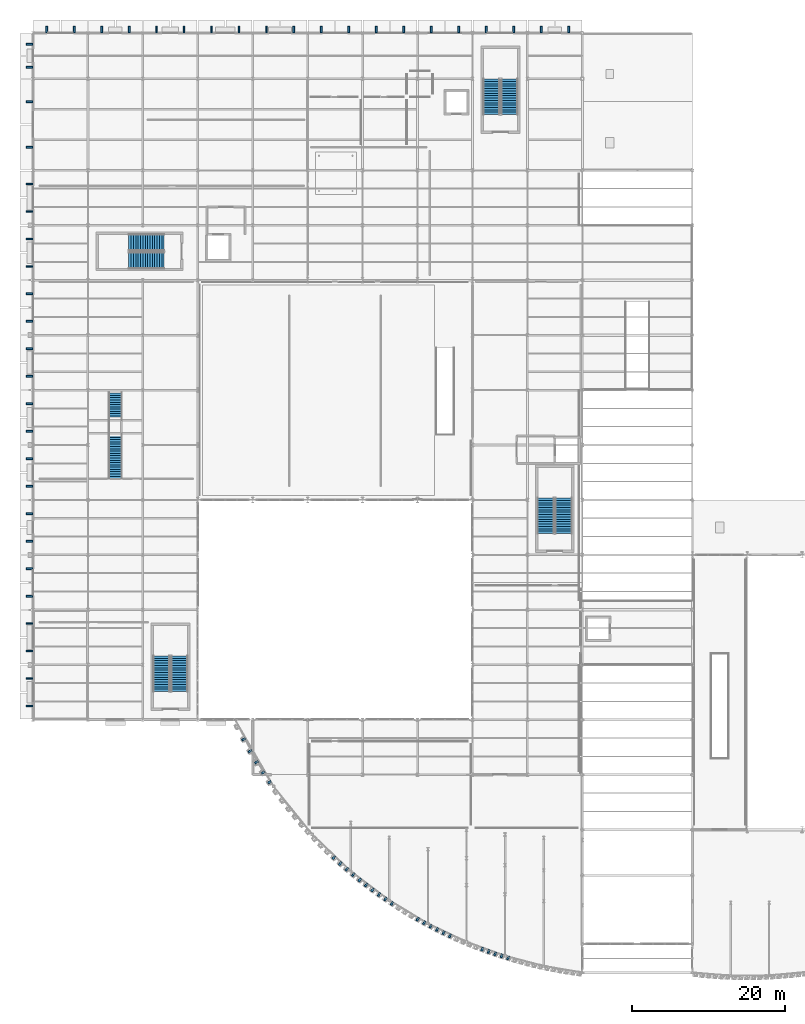
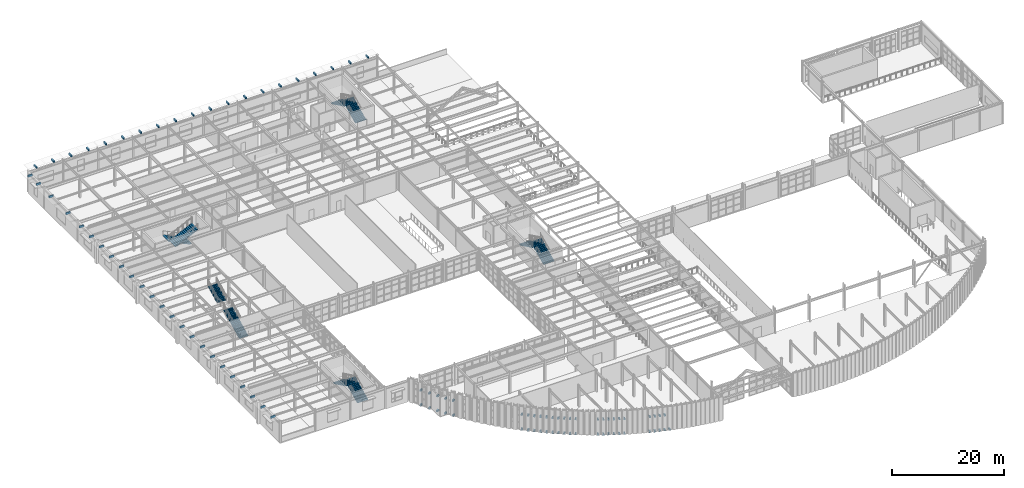
# One storey, part 110 of 126: 95 discrete accessories, 10 stair flights, 5 elements without a shape of their own.
"""IFC4 building model written with IfcOpenShell, lengths in metres."""

from ifc_helpers import new_model, si_unit, direction, frame, origin, origin_2d, place, context, subcontext, project, spatial, polyline, rectangle, outline, extrude, material, type_object, element, aggregate, save


model = new_model("IFC4")

# Units and contexts
model_context = context("Model", 3, precision=1e-05, world=origin(), true_north=direction((0.0, 1.0)))
body_context = subcontext(model_context, "Body", "Model", "MODEL_VIEW")
ifc_project = project(units=[si_unit("LENGTHUNIT", "METRE"), si_unit("AREAUNIT", "SQUARE_METRE"), si_unit("VOLUMEUNIT", "CUBIC_METRE"), si_unit("PLANEANGLEUNIT", "RADIAN"), si_unit("MASSUNIT", "GRAM", prefix="KILO")], contexts=[model_context])

# Site, building, storey
site_placement = place(None, origin())
site = spatial("IfcSite", under=ifc_project, at=site_placement, CompositionType="ELEMENT")
building_placement = place(site_placement, origin())
building = spatial("IfcBuilding", under=site, at=building_placement, Name="Solvadek Multi-Sports Hall", CompositionType="ELEMENT")
storey_placement = place(building_placement, frame((0.0, 0.0, 9.60009765625)))
storey = spatial("IfcBuildingStorey", under=building, at=storey_placement, Name="L02", CompositionType="ELEMENT", Elevation=9.60009765625)

# Stair, stair flights
ifc_material_1 = material(Name="Concrete M35", Category="concrete")
stair_type_1 = type_object("IfcStairType", Name="INT-STR-DOG220", PredefinedType="USERDEFINED", material=ifc_material_1)
stair_1_placement = place(storey_placement, origin())
stair_1 = element("IfcStair", 1, at=stair_1_placement, inside=storey, type_object=stair_type_1, Name="L02 Exit Stair Core ST-01 (SW Crescent)", ObjectType="TWO_RUN_STAIR", PredefinedType="USERDEFINED")
stair_flight_type_1 = type_object("IfcStairFlightType", Name="INT-FLT-RC220", PredefinedType="STRAIGHT", material=ifc_material_1)
stair_flight_1_placement = place(storey_placement, frame((19.199951171875, 24.10009765625, 0.0), z_axis=(0.0, 0.0, 1.0), x_axis=(0.0, 1.0, 0.0)))
stair_flight_1 = element("IfcStairFlight", 2, at=stair_flight_1_placement, type_object=stair_flight_type_1, Name="ST-01 flight 1", NumberOfRisers=16, NumberOfTreads=15, PredefinedType="STRAIGHT", RiserHeight=0.15, TreadLength=0.31, context=body_context, shape_type="SweptSolid", body=[
    extrude(outline(polyline([(0.0, 0.0), (0.0, 0.14990234375), (0.31005859375, 0.14990234375), (0.31005859375, 0.300048828125), (0.6201171875, 0.300048828125), (0.6201171875, 0.449951171875), (0.929931640625, 0.449951171875), (0.929931640625, 0.60009765625), (1.239990234375, 0.60009765625), (1.239990234375, 0.75), (1.550048828125, 0.75), (1.550048828125, 0.89990234375), (1.860107421875, 0.89990234375), (1.860107421875, 1.050048828125), (2.169921875, 1.050048828125), (2.169921875, 1.199951171875), (2.47998046875, 1.199951171875), (2.47998046875, 1.35009765625), (2.7900390625, 1.35009765625), (2.7900390625, 1.5), (3.10009765625, 1.5), (3.10009765625, 1.64990234375), (3.409912109375, 1.64990234375), (3.409912109375, 1.800048828125), (3.719970703125, 1.800048828125), (3.719970703125, 1.949951171875), (4.030029296875, 1.949951171875), (4.030029296875, 2.10009765625), (4.340087890625, 2.10009765625), (4.340087890625, 2.25), (4.64990234375, 2.25), (4.64990234375, 2.39990234375), (4.64990234375, 2.08349609375), (0.34423828125, 0.0), (0.0, 0.0)])), frame((0.0, 1.10009765625, 0.0), z_axis=(0.0, -1.0, 0.0), x_axis=(1.0, 0.0, 0.0)), (0.0, 0.0, 1.0), 2.199951171875),
])
stair_flight_2_placement = place(storey_placement, frame((16.85009765625, 28.75, 2.39990234375), z_axis=(0.0, 0.0, 1.0), x_axis=(0.0, -1.0, 0.0)))
stair_flight_2 = element("IfcStairFlight", 3, at=stair_flight_2_placement, type_object=stair_flight_type_1, Name="ST-01 flight 2", NumberOfRisers=16, NumberOfTreads=15, PredefinedType="STRAIGHT", RiserHeight=0.15, TreadLength=0.31, context=body_context, shape_type="SweptSolid", body=[
    extrude(outline(polyline([(0.0, 0.0), (0.0, 0.14990234375), (0.31005859375, 0.14990234375), (0.31005859375, 0.300048828125), (0.6201171875, 0.300048828125), (0.6201171875, 0.449951171875), (0.929931640625, 0.449951171875), (0.929931640625, 0.60009765625), (1.239990234375, 0.60009765625), (1.239990234375, 0.75), (1.550048828125, 0.75), (1.550048828125, 0.89990234375), (1.860107421875, 0.89990234375), (1.860107421875, 1.050048828125), (2.169921875, 1.050048828125), (2.169921875, 1.199951171875), (2.47998046875, 1.199951171875), (2.47998046875, 1.35009765625), (2.7900390625, 1.35009765625), (2.7900390625, 1.5), (3.10009765625, 1.5), (3.10009765625, 1.64990234375), (3.409912109375, 1.64990234375), (3.409912109375, 1.800048828125), (3.719970703125, 1.800048828125), (3.719970703125, 1.949951171875), (4.030029296875, 1.949951171875), (4.030029296875, 2.10009765625), (4.340087890625, 2.10009765625), (4.340087890625, 2.25), (4.64990234375, 2.25), (4.64990234375, 2.39990234375), (4.64990234375, 2.08349609375), (0.34423828125, 0.0), (0.0, 0.0)])), frame((0.0, 1.10009765625, 0.0), z_axis=(0.0, -1.0, 0.0), x_axis=(1.0, 0.0, 0.0)), (0.0, 0.0, 1.0), 2.199951171875),
])
aggregate(stair_1, [stair_flight_1, stair_flight_2])

stair_2_placement = place(storey_placement, origin())
stair_2 = element("IfcStair", 4, at=stair_2_placement, inside=storey, type_object=stair_type_1, Name="L02 Exit Stair Core ST-02 (NW Track Headhouse)", ObjectType="TWO_RUN_STAIR", PredefinedType="USERDEFINED")
stair_flight_3_placement = place(storey_placement, frame((17.199951171875, 82.949951171875, 0.0), z_axis=(0.0, 0.0, 1.0), x_axis=(-1.0, 0.0, 0.0)))
stair_flight_3 = element("IfcStairFlight", 5, at=stair_flight_3_placement, type_object=stair_flight_type_1, Name="ST-02 flight 1", NumberOfRisers=16, NumberOfTreads=15, PredefinedType="STRAIGHT", RiserHeight=0.15, TreadLength=0.31, context=body_context, shape_type="SweptSolid", body=[
    extrude(outline(polyline([(0.0, 0.0), (0.0, 0.14990234375), (0.31005859375, 0.14990234375), (0.31005859375, 0.300048828125), (0.6201171875, 0.300048828125), (0.6201171875, 0.449951171875), (0.929931640625, 0.449951171875), (0.929931640625, 0.60009765625), (1.239990234375, 0.60009765625), (1.239990234375, 0.75), (1.550048828125, 0.75), (1.550048828125, 0.89990234375), (1.860107421875, 0.89990234375), (1.860107421875, 1.050048828125), (2.169921875, 1.050048828125), (2.169921875, 1.199951171875), (2.47998046875, 1.199951171875), (2.47998046875, 1.35009765625), (2.7900390625, 1.35009765625), (2.7900390625, 1.5), (3.10009765625, 1.5), (3.10009765625, 1.64990234375), (3.409912109375, 1.64990234375), (3.409912109375, 1.800048828125), (3.719970703125, 1.800048828125), (3.719970703125, 1.949951171875), (4.030029296875, 1.949951171875), (4.030029296875, 2.10009765625), (4.340087890625, 2.10009765625), (4.340087890625, 2.25), (4.64990234375, 2.25), (4.64990234375, 2.39990234375), (4.64990234375, 2.08349609375), (0.34423828125, 0.0), (0.0, 0.0)])), frame((0.0, 1.10009765625, 0.0), z_axis=(0.0, -1.0, 0.0), x_axis=(1.0, 0.0, 0.0)), (0.0, 0.0, 1.0), 2.199951171875),
])
stair_flight_4_placement = place(storey_placement, frame((12.550048828125, 80.60009765625, 2.39990234375), z_axis=(0.0, 0.0, 1.0), x_axis=(1.0, 0.0, 0.0)))
stair_flight_4 = element("IfcStairFlight", 6, at=stair_flight_4_placement, type_object=stair_flight_type_1, Name="ST-02 flight 2", NumberOfRisers=16, NumberOfTreads=15, PredefinedType="STRAIGHT", RiserHeight=0.15, TreadLength=0.31, context=body_context, shape_type="SweptSolid", body=[
    extrude(outline(polyline([(0.0, 0.0), (0.0, 0.14990234375), (0.31005859375, 0.14990234375), (0.31005859375, 0.300048828125), (0.6201171875, 0.300048828125), (0.6201171875, 0.449951171875), (0.929931640625, 0.449951171875), (0.929931640625, 0.60009765625), (1.239990234375, 0.60009765625), (1.239990234375, 0.75), (1.550048828125, 0.75), (1.550048828125, 0.89990234375), (1.860107421875, 0.89990234375), (1.860107421875, 1.050048828125), (2.169921875, 1.050048828125), (2.169921875, 1.199951171875), (2.47998046875, 1.199951171875), (2.47998046875, 1.35009765625), (2.7900390625, 1.35009765625), (2.7900390625, 1.5), (3.10009765625, 1.5), (3.10009765625, 1.64990234375), (3.409912109375, 1.64990234375), (3.409912109375, 1.800048828125), (3.719970703125, 1.800048828125), (3.719970703125, 1.949951171875), (4.030029296875, 1.949951171875), (4.030029296875, 2.10009765625), (4.340087890625, 2.10009765625), (4.340087890625, 2.25), (4.64990234375, 2.25), (4.64990234375, 2.39990234375), (4.64990234375, 2.08349609375), (0.34423828125, 0.0), (0.0, 0.0)])), frame((0.0, 1.10009765625, 0.0), z_axis=(0.0, -1.0, 0.0), x_axis=(1.0, 0.0, 0.0)), (0.0, 0.0, 1.0), 2.199951171875),
])
aggregate(stair_2, [stair_flight_3, stair_flight_4])

stair_3_placement = place(storey_placement, origin())
stair_3 = element("IfcStair", 7, at=stair_3_placement, inside=storey, type_object=stair_type_1, Name="L02 Exit Stair Core ST-03 (North Avenue Podium)", ObjectType="TWO_RUN_STAIR", PredefinedType="USERDEFINED")
stair_flight_5_placement = place(storey_placement, frame((62.449951171875, 99.699951171875, 0.0), z_axis=(0.0, 0.0, 1.0), x_axis=(0.0, 1.0, 0.0)))
stair_flight_5 = element("IfcStairFlight", 8, at=stair_flight_5_placement, type_object=stair_flight_type_1, Name="ST-03 flight 1", NumberOfRisers=16, NumberOfTreads=15, PredefinedType="STRAIGHT", RiserHeight=0.15, TreadLength=0.31, context=body_context, shape_type="SweptSolid", body=[
    extrude(outline(polyline([(0.0, 0.0), (0.0, 0.14990234375), (0.31005859375, 0.14990234375), (0.31005859375, 0.300048828125), (0.6201171875, 0.300048828125), (0.6201171875, 0.449951171875), (0.929931640625, 0.449951171875), (0.929931640625, 0.60009765625), (1.239990234375, 0.60009765625), (1.239990234375, 0.75), (1.550048828125, 0.75), (1.550048828125, 0.89990234375), (1.860107421875, 0.89990234375), (1.860107421875, 1.050048828125), (2.169921875, 1.050048828125), (2.169921875, 1.199951171875), (2.47998046875, 1.199951171875), (2.47998046875, 1.35009765625), (2.7900390625, 1.35009765625), (2.7900390625, 1.5), (3.10009765625, 1.5), (3.10009765625, 1.64990234375), (3.409912109375, 1.64990234375), (3.409912109375, 1.800048828125), (3.719970703125, 1.800048828125), (3.719970703125, 1.949951171875), (4.030029296875, 1.949951171875), (4.030029296875, 2.10009765625), (4.340087890625, 2.10009765625), (4.340087890625, 2.25), (4.64990234375, 2.25), (4.64990234375, 2.39990234375), (4.64990234375, 2.08349609375), (0.34423828125, 0.0), (0.0, 0.0)])), frame((0.0, 1.10009765625, 0.0), z_axis=(0.0, -1.0, 0.0), x_axis=(1.0, 0.0, 0.0)), (0.0, 0.0, 1.0), 2.199951171875),
])
stair_flight_6_placement = place(storey_placement, frame((60.10009765625, 104.35009765625, 2.39990234375), z_axis=(0.0, 0.0, 1.0), x_axis=(0.0, -1.0, 0.0)))
stair_flight_6 = element("IfcStairFlight", 9, at=stair_flight_6_placement, type_object=stair_flight_type_1, Name="ST-03 flight 2", NumberOfRisers=16, NumberOfTreads=15, PredefinedType="STRAIGHT", RiserHeight=0.15, TreadLength=0.31, context=body_context, shape_type="SweptSolid", body=[
    extrude(outline(polyline([(0.0, 0.0), (0.0, 0.14990234375), (0.31005859375, 0.14990234375), (0.31005859375, 0.300048828125), (0.6201171875, 0.300048828125), (0.6201171875, 0.449951171875), (0.929931640625, 0.449951171875), (0.929931640625, 0.60009765625), (1.239990234375, 0.60009765625), (1.239990234375, 0.75), (1.550048828125, 0.75), (1.550048828125, 0.89990234375), (1.860107421875, 0.89990234375), (1.860107421875, 1.050048828125), (2.169921875, 1.050048828125), (2.169921875, 1.199951171875), (2.47998046875, 1.199951171875), (2.47998046875, 1.35009765625), (2.7900390625, 1.35009765625), (2.7900390625, 1.5), (3.10009765625, 1.5), (3.10009765625, 1.64990234375), (3.409912109375, 1.64990234375), (3.409912109375, 1.800048828125), (3.719970703125, 1.800048828125), (3.719970703125, 1.949951171875), (4.030029296875, 1.949951171875), (4.030029296875, 2.10009765625), (4.340087890625, 2.10009765625), (4.340087890625, 2.25), (4.64990234375, 2.25), (4.64990234375, 2.39990234375), (4.64990234375, 2.08349609375), (0.34423828125, 0.0), (0.0, 0.0)])), frame((0.0, 1.10009765625, 0.0), z_axis=(0.0, -1.0, 0.0), x_axis=(1.0, 0.0, 0.0)), (0.0, 0.0, 1.0), 2.199951171875),
])
aggregate(stair_3, [stair_flight_5, stair_flight_6])

stair_4_placement = place(storey_placement, origin())
stair_4 = element("IfcStair", 10, at=stair_4_placement, inside=storey, type_object=stair_type_1, Name="L02 Exit Stair Core ST-04 (Central Passage West)", ObjectType="TWO_RUN_STAIR", PredefinedType="USERDEFINED")
stair_flight_7_placement = place(storey_placement, frame((69.550048828125, 44.800048828125, 0.0), z_axis=(0.0, 0.0, 1.0), x_axis=(0.0, 1.0, 0.0)))
stair_flight_7 = element("IfcStairFlight", 11, at=stair_flight_7_placement, type_object=stair_flight_type_1, Name="ST-04 flight 1", NumberOfRisers=16, NumberOfTreads=15, PredefinedType="STRAIGHT", RiserHeight=0.15, TreadLength=0.31, context=body_context, shape_type="SweptSolid", body=[
    extrude(outline(polyline([(0.0, 0.0), (0.0, 0.14990234375), (0.31005859375, 0.14990234375), (0.31005859375, 0.300048828125), (0.6201171875, 0.300048828125), (0.6201171875, 0.449951171875), (0.929931640625, 0.449951171875), (0.929931640625, 0.60009765625), (1.239990234375, 0.60009765625), (1.239990234375, 0.75), (1.550048828125, 0.75), (1.550048828125, 0.89990234375), (1.860107421875, 0.89990234375), (1.860107421875, 1.050048828125), (2.169921875, 1.050048828125), (2.169921875, 1.199951171875), (2.47998046875, 1.199951171875), (2.47998046875, 1.35009765625), (2.7900390625, 1.35009765625), (2.7900390625, 1.5), (3.10009765625, 1.5), (3.10009765625, 1.64990234375), (3.409912109375, 1.64990234375), (3.409912109375, 1.800048828125), (3.719970703125, 1.800048828125), (3.719970703125, 1.949951171875), (4.030029296875, 1.949951171875), (4.030029296875, 2.10009765625), (4.340087890625, 2.10009765625), (4.340087890625, 2.25), (4.64990234375, 2.25), (4.64990234375, 2.39990234375), (4.64990234375, 2.08349609375), (0.34423828125, 0.0), (0.0, 0.0)])), frame((0.0, 1.10009765625, 0.0), z_axis=(0.0, -1.0, 0.0), x_axis=(1.0, 0.0, 0.0)), (0.0, 0.0, 1.0), 2.199951171875),
])
stair_flight_8_placement = place(storey_placement, frame((67.199951171875, 49.449951171875, 2.39990234375), z_axis=(0.0, 0.0, 1.0), x_axis=(0.0, -1.0, 0.0)))
stair_flight_8 = element("IfcStairFlight", 12, at=stair_flight_8_placement, type_object=stair_flight_type_1, Name="ST-04 flight 2", NumberOfRisers=16, NumberOfTreads=15, PredefinedType="STRAIGHT", RiserHeight=0.15, TreadLength=0.31, context=body_context, shape_type="SweptSolid", body=[
    extrude(outline(polyline([(0.0, 0.0), (0.0, 0.14990234375), (0.31005859375, 0.14990234375), (0.31005859375, 0.300048828125), (0.6201171875, 0.300048828125), (0.6201171875, 0.449951171875), (0.929931640625, 0.449951171875), (0.929931640625, 0.60009765625), (1.239990234375, 0.60009765625), (1.239990234375, 0.75), (1.550048828125, 0.75), (1.550048828125, 0.89990234375), (1.860107421875, 0.89990234375), (1.860107421875, 1.050048828125), (2.169921875, 1.050048828125), (2.169921875, 1.199951171875), (2.47998046875, 1.199951171875), (2.47998046875, 1.35009765625), (2.7900390625, 1.35009765625), (2.7900390625, 1.5), (3.10009765625, 1.5), (3.10009765625, 1.64990234375), (3.409912109375, 1.64990234375), (3.409912109375, 1.800048828125), (3.719970703125, 1.800048828125), (3.719970703125, 1.949951171875), (4.030029296875, 1.949951171875), (4.030029296875, 2.10009765625), (4.340087890625, 2.10009765625), (4.340087890625, 2.25), (4.64990234375, 2.25), (4.64990234375, 2.39990234375), (4.64990234375, 2.08349609375), (0.34423828125, 0.0), (0.0, 0.0)])), frame((0.0, 1.10009765625, 0.0), z_axis=(0.0, -1.0, 0.0), x_axis=(1.0, 0.0, 0.0)), (0.0, 0.0, 1.0), 2.199951171875),
])
aggregate(stair_4, [stair_flight_7, stair_flight_8])

stair_type_2 = type_object("IfcStairType", Name="INT-STR-VOM180", PredefinedType="STRAIGHT_RUN_STAIR", material=ifc_material_1)
stair_5_placement = place(storey_placement, origin())
stair_5 = element("IfcStair", 13, at=stair_5_placement, inside=storey, type_object=stair_type_2, Name="L02 Monumental and Access Stair ST-14", PredefinedType="STRAIGHT_RUN_STAIR")
stair_flight_type_2 = type_object("IfcStairFlightType", Name="INT-FLT-VOM180", PredefinedType="STRAIGHT", material=ifc_material_1)
stair_flight_9_placement = place(storey_placement, frame((10.800048828125, 52.0, 0.0), z_axis=(0.0, 0.0, 1.0), x_axis=(0.0, 1.0, 0.0)))
stair_flight_9 = element("IfcStairFlight", 14, at=stair_flight_9_placement, type_object=stair_flight_type_2, Name="ST-14 flight 1", NumberOfRisers=20, NumberOfTreads=19, PredefinedType="STRAIGHT", RiserHeight=0.15, TreadLength=0.3, context=body_context, shape_type="SweptSolid", body=[
    extrude(outline(polyline([(0.0, 0.0), (0.0, 0.14990234375), (0.300048828125, 0.14990234375), (0.300048828125, 0.300048828125), (0.60009765625, 0.300048828125), (0.60009765625, 0.449951171875), (0.89990234375, 0.449951171875), (0.89990234375, 0.60009765625), (1.199951171875, 0.60009765625), (1.199951171875, 0.75), (1.5, 0.75), (1.5, 0.89990234375), (1.800048828125, 0.89990234375), (1.800048828125, 1.050048828125), (2.10009765625, 1.050048828125), (2.10009765625, 1.199951171875), (2.39990234375, 1.199951171875), (2.39990234375, 1.35009765625), (2.699951171875, 1.35009765625), (2.699951171875, 1.5), (3.0, 1.5), (3.0, 1.64990234375), (3.300048828125, 1.64990234375), (3.300048828125, 1.800048828125), (3.60009765625, 1.800048828125), (3.60009765625, 1.949951171875), (3.89990234375, 1.949951171875), (3.89990234375, 2.10009765625), (4.199951171875, 2.10009765625), (4.199951171875, 2.25), (4.5, 2.25), (4.5, 2.39990234375), (4.800048828125, 2.39990234375), (4.800048828125, 2.550048828125), (5.10009765625, 2.550048828125), (5.10009765625, 2.699951171875), (5.39990234375, 2.699951171875), (5.39990234375, 2.85009765625), (5.699951171875, 2.85009765625), (5.699951171875, 3.0), (5.699951171875, 2.64892578125), (0.40234375, 0.0), (0.0, 0.0)])), frame((0.0, 0.89990234375, 0.0), z_axis=(0.0, -1.0, 0.0), x_axis=(1.0, 0.0, 0.0)), (0.0, 0.0, 1.0), 1.800048828125),
])
stair_flight_10_placement = place(storey_placement, frame((10.800048828125, 59.89990234375, 3.0), z_axis=(0.0, 0.0, 1.0), x_axis=(0.0, 1.0, 0.0)))
stair_flight_10 = element("IfcStairFlight", 15, at=stair_flight_10_placement, type_object=stair_flight_type_2, Name="ST-14 flight 2", NumberOfRisers=12, NumberOfTreads=11, PredefinedType="STRAIGHT", RiserHeight=0.15, TreadLength=0.3, context=body_context, shape_type="SweptSolid", body=[
    extrude(outline(polyline([(0.0, 0.0), (0.0, 0.14990234375), (0.300048828125, 0.14990234375), (0.300048828125, 0.300048828125), (0.60009765625, 0.300048828125), (0.60009765625, 0.449951171875), (0.89990234375, 0.449951171875), (0.89990234375, 0.60009765625), (1.199951171875, 0.60009765625), (1.199951171875, 0.75), (1.5, 0.75), (1.5, 0.89990234375), (1.800048828125, 0.89990234375), (1.800048828125, 1.050048828125), (2.10009765625, 1.050048828125), (2.10009765625, 1.199951171875), (2.39990234375, 1.199951171875), (2.39990234375, 1.35009765625), (2.699951171875, 1.35009765625), (2.699951171875, 1.5), (3.0, 1.5), (3.0, 1.64990234375), (3.300048828125, 1.64990234375), (3.300048828125, 1.800048828125), (3.300048828125, 1.44873046875), (0.40234375, 0.0), (0.0, 0.0)])), frame((0.0, 0.89990234375, 0.0), z_axis=(0.0, -1.0, 0.0), x_axis=(1.0, 0.0, 0.0)), (0.0, 0.0, 1.0), 1.800048828125),
])
aggregate(stair_5, [stair_flight_9, stair_flight_10])

# Discrete accessories
ifc_material_2 = material(Name="Steel E250 (250 MPa)", Category="steel")
discrete_accessory_type = type_object("IfcDiscreteAccessoryType", Name="ENV-BRK-CLEAT", PredefinedType="BRACKET", material=ifc_material_2)
for number, where, z_axis, x_axis, name in (
    (16, (27.594970703125, 17.836669921875, -0.01025390625), (0.0, 0.0, 1.0), (0.451555495273, -0.892243035663, 0.0), "L02 Screen Fixing Bracket #4"),
    (17, (27.594970703125, 17.836669921875, 3.2197265625), (0.0, 0.0, 1.0), (0.451555495273, -0.892243035663, 0.0), "L02 Screen Fixing Bracket #4"),
    (18, (28.4423828125, 16.275146484375, -0.01025390625), (0.0, 0.0, 1.0), (0.504933392767, -0.863158310432, 0.0), "L02 Screen Fixing Bracket #7"),
    (19, (28.4423828125, 16.275146484375, 3.2197265625), (0.0, 0.0, 1.0), (0.504933392767, -0.863158310432, 0.0), "L02 Screen Fixing Bracket #7"),
    (20, (29.28564453125, 14.83349609375, -0.01025390625), (0.0, 0.0, 1.0), (0.504933392767, -0.863158310432, 0.0), "L02 Screen Fixing Bracket #8"),
    (21, (29.28564453125, 14.83349609375, 3.2197265625), (0.0, 0.0, 1.0), (0.504933392767, -0.863158310432, 0.0), "L02 Screen Fixing Bracket #8"),
    (22, (30.13330078125, 13.46826171875, -0.01025390625), (0.0, 0.0, 1.0), (0.551610038251, -0.834102131457, 0.0), "L02 Screen Fixing Bracket #11"),
    (23, (30.13330078125, 13.46826171875, 3.2197265625), (0.0, 0.0, 1.0), (0.551610038251, -0.834102131457, 0.0), "L02 Screen Fixing Bracket #11"),
    (24, (30.976806640625, 12.19287109375, -0.01025390625), (0.0, 0.0, 1.0), (0.551610038251, -0.834102131457, 0.0), "L02 Screen Fixing Bracket #12"),
    (25, (30.976806640625, 12.19287109375, 3.2197265625), (0.0, 0.0, 1.0), (0.551610038251, -0.834102131457, 0.0), "L02 Screen Fixing Bracket #12"),
    (26, (39.431396484375, 2.326904296875, -0.01025390625), (0.0, 0.0, 1.0), (0.724733346655, -0.689029445123, 0.0), "L02 Screen Fixing Bracket #32"),
    (27, (39.431396484375, 2.326904296875, 3.2197265625), (0.0, 0.0, 1.0), (0.724733346655, -0.689029445123, 0.0), "L02 Screen Fixing Bracket #32"),
    (28, (40.27880859375, 1.5517578125, -0.01025390625), (0.0, 0.0, 1.0), (0.751215081629, -0.660057498353, 0.0), "L02 Screen Fixing Bracket #35"),
    (29, (40.27880859375, 1.5517578125, 3.2197265625), (0.0, 0.0, 1.0), (0.751215081629, -0.660057498353, 0.0), "L02 Screen Fixing Bracket #35"),
    (30, (41.122314453125, 0.810791015625, -0.01025390625), (0.0, 0.0, 1.0), (0.751215081629, -0.660057498353, 0.0), "L02 Screen Fixing Bracket #36"),
    (31, (41.122314453125, 0.810791015625, 3.2197265625), (0.0, 0.0, 1.0), (0.751215081629, -0.660057498353, 0.0), "L02 Screen Fixing Bracket #36"),
    (32, (41.9697265625, 0.09375, -0.01025390625), (0.0, 0.0, 1.0), (0.775755175732, -0.631033998549, 0.0), "L02 Screen Fixing Bracket #39"),
    (33, (41.9697265625, 0.09375, 3.2197265625), (0.0, 0.0, 1.0), (0.775755175732, -0.631033998549, 0.0), "L02 Screen Fixing Bracket #39"),
    (34, (42.813232421875, -0.592529296875, -0.01025390625), (0.0, 0.0, 1.0), (0.775755175732, -0.631033998549, 0.0), "L02 Screen Fixing Bracket #40"),
    (35, (42.813232421875, -0.592529296875, 3.2197265625), (0.0, 0.0, 1.0), (0.775755175732, -0.631033998549, 0.0), "L02 Screen Fixing Bracket #40"),
    (36, (43.66064453125, -1.256591796875, -0.01025390625), (0.0, 0.0, 1.0), (0.798475077393, -0.602027865453, 0.0), "L02 Screen Fixing Bracket #43"),
    (37, (43.66064453125, -1.256591796875, 3.2197265625), (0.0, 0.0, 1.0), (0.798475077393, -0.602027865453, 0.0), "L02 Screen Fixing Bracket #43"),
    (38, (44.504150390625, -1.892578125, -0.01025390625), (0.0, 0.0, 1.0), (0.798475077393, -0.602027865453, 0.0), "L02 Screen Fixing Bracket #44"),
    (39, (44.504150390625, -1.892578125, 3.2197265625), (0.0, 0.0, 1.0), (0.798475077393, -0.602027865453, 0.0), "L02 Screen Fixing Bracket #44"),
    (40, (45.3515625, -2.50830078125, -0.01025390625), (0.0, 0.0, 1.0), (0.819512548695, -0.573061238029, 0.0), "L02 Screen Fixing Bracket #47"),
    (41, (45.3515625, -2.50830078125, 3.2197265625), (0.0, 0.0, 1.0), (0.819512548695, -0.573061238029, 0.0), "L02 Screen Fixing Bracket #47"),
    (42, (46.195068359375, -3.09814453125, -0.01025390625), (0.0, 0.0, 1.0), (0.819512548695, -0.573061238029, 0.0), "L02 Screen Fixing Bracket #48"),
    (43, (46.195068359375, -3.09814453125, 3.2197265625), (0.0, 0.0, 1.0), (0.819512548695, -0.573061238029, 0.0), "L02 Screen Fixing Bracket #48"),
    (44, (47.04248046875, -3.669189453125, -0.01025390625), (0.0, 0.0, 1.0), (0.839053337602, -0.544049167502, 0.0), "L02 Screen Fixing Bracket #51"),
    (45, (47.04248046875, -3.669189453125, 3.2197265625), (0.0, 0.0, 1.0), (0.839053337602, -0.544049167502, 0.0), "L02 Screen Fixing Bracket #51"),
    (46, (50.42431640625, -5.74267578125, -0.01025390625), (0.0, 0.0, 1.0), (0.873929914462, -0.486051956696, 0.0), "L02 Screen Fixing Bracket #59"),
    (47, (50.42431640625, -5.74267578125, 3.2197265625), (0.0, 0.0, 1.0), (0.873929914462, -0.486051956696, 0.0), "L02 Screen Fixing Bracket #59"),
    (48, (51.267822265625, -6.2119140625, -0.01025390625), (0.0, 0.0, 1.0), (0.873929914462, -0.486051956696, 0.0), "L02 Screen Fixing Bracket #60"),
    (49, (51.267822265625, -6.2119140625, 3.2197265625), (0.0, 0.0, 1.0), (0.873929914462, -0.486051956696, 0.0), "L02 Screen Fixing Bracket #60"),
    (50, (52.115234375, -6.665283203125, -0.01025390625), (0.0, 0.0, 1.0), (0.889426842209, -0.457077556174, 0.0), "L02 Screen Fixing Bracket #63"),
    (51, (52.115234375, -6.665283203125, 3.2197265625), (0.0, 0.0, 1.0), (0.889426842209, -0.457077556174, 0.0), "L02 Screen Fixing Bracket #63"),
    (52, (52.958740234375, -7.0986328125, -0.01025390625), (0.0, 0.0, 1.0), (0.889426842209, -0.457077556174, 0.0), "L02 Screen Fixing Bracket #64"),
    (53, (52.958740234375, -7.0986328125, 3.2197265625), (0.0, 0.0, 1.0), (0.889426842209, -0.457077556174, 0.0), "L02 Screen Fixing Bracket #64"),
    (54, (53.80615234375, -7.51708984375, -0.01025390625), (0.0, 0.0, 1.0), (0.903719292524, -0.428125495994, 0.0), "L02 Screen Fixing Bracket #67"),
    (55, (53.80615234375, -7.51708984375, 3.2197265625), (0.0, 0.0, 1.0), (0.903719292524, -0.428125495994, 0.0), "L02 Screen Fixing Bracket #67"),
    (56, (54.649658203125, -7.916748046875, -0.01025390625), (0.0, 0.0, 1.0), (0.903719292524, -0.428125495994, 0.0), "L02 Screen Fixing Bracket #68"),
    (57, (54.649658203125, -7.916748046875, 3.2197265625), (0.0, 0.0, 1.0), (0.903719292524, -0.428125495994, 0.0), "L02 Screen Fixing Bracket #68"),
    (58, (58.879150390625, -9.680908203125, -0.01025390625), (0.0, 0.0, 1.0), (0.940004762404, -0.341161320576, 0.0), "L02 Screen Fixing Bracket #79"),
    (59, (58.879150390625, -9.680908203125, 3.2197265625), (0.0, 0.0, 1.0), (0.940004762404, -0.341161320576, 0.0), "L02 Screen Fixing Bracket #79"),
    (60, (59.722412109375, -9.987060546875, -0.01025390625), (0.0, 0.0, 1.0), (0.940004762404, -0.341161320576, 0.0), "L02 Screen Fixing Bracket #80"),
    (61, (59.722412109375, -9.987060546875, 3.2197265625), (0.0, 0.0, 1.0), (0.940004762404, -0.341161320576, 0.0), "L02 Screen Fixing Bracket #80"),
    (62, (60.56982421875, -10.280029296875, -0.01025390625), (0.0, 0.0, 1.0), (0.950042962408, -0.312119159264, 0.0), "L02 Screen Fixing Bracket #83"),
    (63, (60.56982421875, -10.280029296875, 3.2197265625), (0.0, 0.0, 1.0), (0.950042962408, -0.312119159264, 0.0), "L02 Screen Fixing Bracket #83"),
    (64, (61.413330078125, -10.55712890625, -0.01025390625), (0.0, 0.0, 1.0), (0.950042962408, -0.312119159264, 0.0), "L02 Screen Fixing Bracket #84"),
    (65, (61.413330078125, -10.55712890625, 3.2197265625), (0.0, 0.0, 1.0), (0.950042962408, -0.312119159264, 0.0), "L02 Screen Fixing Bracket #84"),
    (66, (62.260986328125, -10.821533203125, -0.01025390625), (0.0, 0.0, 1.0), (0.959064393359, -0.2831880813, 0.0), "L02 Screen Fixing Bracket #87"),
):
    element("IfcDiscreteAccessory", number, at=place(storey_placement, frame(where, z_axis=z_axis, x_axis=x_axis)), inside=storey, type_object=discrete_accessory_type, Name=name, PredefinedType="BRACKET", context=body_context, shape_type="SweptSolid", body=[
        extrude(rectangle(XDim=0.260009765625, YDim=0.5, at=origin_2d()), origin(), (0.0, 0.0, 1.0), 0.260009765625),
    ])
for number, where, z_axis, x_axis, name in (
    (67, (-0.449951171875, 22.199951171875, 4.530029296875), (0.0, 0.0, 1.0), (1.0, 0.0, 0.0), "West Ottoman Sacak Eave Bracket #1"),
    (68, (-0.449951171875, 25.800048828125, 4.530029296875), (0.0, 0.0, 1.0), (1.0, 0.0, 0.0), "West Ottoman Sacak Eave Bracket #1"),
    (69, (-0.449951171875, 29.39990234375, 4.530029296875), (0.0, 0.0, 1.0), (1.0, 0.0, 0.0), "West Ottoman Sacak Eave Bracket #2"),
    (70, (-0.449951171875, 33.0, 4.530029296875), (0.0, 0.0, 1.0), (1.0, 0.0, 0.0), "West Ottoman Sacak Eave Bracket #2"),
    (71, (-0.449951171875, 36.60009765625, 4.530029296875), (0.0, 0.0, 1.0), (1.0, 0.0, 0.0), "West Ottoman Sacak Eave Bracket #3"),
    (72, (-0.449951171875, 40.199951171875, 4.530029296875), (0.0, 0.0, 1.0), (1.0, 0.0, 0.0), "West Ottoman Sacak Eave Bracket #3"),
    (73, (-0.449951171875, 43.800048828125, 4.530029296875), (0.0, 0.0, 1.0), (1.0, 0.0, 0.0), "West Ottoman Sacak Eave Bracket #4"),
    (74, (-0.449951171875, 47.39990234375, 4.530029296875), (0.0, 0.0, 1.0), (1.0, 0.0, 0.0), "West Ottoman Sacak Eave Bracket #4"),
    (75, (-0.449951171875, 51.0, 4.530029296875), (0.0, 0.0, 1.0), (1.0, 0.0, 0.0), "West Ottoman Sacak Eave Bracket #5"),
    (76, (-0.449951171875, 54.60009765625, 4.530029296875), (0.0, 0.0, 1.0), (1.0, 0.0, 0.0), "West Ottoman Sacak Eave Bracket #5"),
    (77, (-0.449951171875, 58.199951171875, 4.530029296875), (0.0, 0.0, 1.0), (1.0, 0.0, 0.0), "West Ottoman Sacak Eave Bracket #6"),
    (78, (-0.449951171875, 61.800048828125, 4.530029296875), (0.0, 0.0, 1.0), (1.0, 0.0, 0.0), "West Ottoman Sacak Eave Bracket #6"),
    (79, (-0.449951171875, 65.39990234375, 4.530029296875), (0.0, 0.0, 1.0), (1.0, 0.0, 0.0), "West Ottoman Sacak Eave Bracket #7"),
    (80, (-0.449951171875, 69.0, 4.530029296875), (0.0, 0.0, 1.0), (1.0, 0.0, 0.0), "West Ottoman Sacak Eave Bracket #7"),
    (81, (-0.449951171875, 72.60009765625, 4.530029296875), (0.0, 0.0, 1.0), (1.0, 0.0, 0.0), "West Ottoman Sacak Eave Bracket #8"),
    (82, (-0.449951171875, 76.199951171875, 4.530029296875), (0.0, 0.0, 1.0), (1.0, 0.0, 0.0), "West Ottoman Sacak Eave Bracket #8"),
    (83, (-0.449951171875, 79.800048828125, 4.530029296875), (0.0, 0.0, 1.0), (1.0, 0.0, 0.0), "West Ottoman Sacak Eave Bracket #9"),
    (84, (-0.449951171875, 83.39990234375, 4.530029296875), (0.0, 0.0, 1.0), (1.0, 0.0, 0.0), "West Ottoman Sacak Eave Bracket #9"),
    (85, (-0.449951171875, 87.0, 4.530029296875), (0.0, 0.0, 1.0), (1.0, 0.0, 0.0), "West Ottoman Sacak Eave Bracket #10"),
    (86, (-0.449951171875, 90.60009765625, 4.530029296875), (0.0, 0.0, 1.0), (1.0, 0.0, 0.0), "West Ottoman Sacak Eave Bracket #10"),
    (87, (-0.449951171875, 95.39990234375, 4.530029296875), (0.0, 0.0, 1.0), (1.0, 0.0, 0.0), "West Ottoman Sacak Eave Bracket #11"),
    (88, (-0.449951171875, 101.39990234375, 4.530029296875), (0.0, 0.0, 1.0), (1.0, 0.0, 0.0), "West Ottoman Sacak Eave Bracket #11"),
    (89, (-0.449951171875, 105.89990234375, 4.530029296875), (0.0, 0.0, 1.0), (1.0, 0.0, 0.0), "West Ottoman Sacak Eave Bracket #12"),
    (90, (-0.449951171875, 108.89990234375, 4.530029296875), (0.0, 0.0, 1.0), (1.0, 0.0, 0.0), "West Ottoman Sacak Eave Bracket #12"),
):
    element("IfcDiscreteAccessory", number, at=place(storey_placement, frame(where, z_axis=z_axis, x_axis=x_axis)), inside=storey, type_object=discrete_accessory_type, Name=name, PredefinedType="BRACKET", context=body_context, shape_type="SweptSolid", body=[
        extrude(rectangle(XDim=0.89990234375, YDim=0.239990234375, at=origin_2d()), origin(), (0.0, 0.0, 1.0), 0.3798828125),
    ])
for number, where, z_axis, x_axis, name in (
    (91, (1.800048828125, 110.85009765625, 4.530029296875), (0.0, 0.0, 1.0), (1.0, 0.0, 0.0), "North Ottoman Sacak Eave Bracket #1"),
    (92, (5.39990234375, 110.85009765625, 4.530029296875), (0.0, 0.0, 1.0), (1.0, 0.0, 0.0), "North Ottoman Sacak Eave Bracket #1"),
    (93, (9.0, 110.85009765625, 4.530029296875), (0.0, 0.0, 1.0), (1.0, 0.0, 0.0), "North Ottoman Sacak Eave Bracket #2"),
    (94, (12.60009765625, 110.85009765625, 4.530029296875), (0.0, 0.0, 1.0), (1.0, 0.0, 0.0), "North Ottoman Sacak Eave Bracket #2"),
    (95, (16.199951171875, 110.85009765625, 4.530029296875), (0.0, 0.0, 1.0), (1.0, 0.0, 0.0), "North Ottoman Sacak Eave Bracket #3"),
    (96, (19.800048828125, 110.85009765625, 4.530029296875), (0.0, 0.0, 1.0), (1.0, 0.0, 0.0), "North Ottoman Sacak Eave Bracket #3"),
    (97, (23.39990234375, 110.85009765625, 4.530029296875), (0.0, 0.0, 1.0), (1.0, 0.0, 0.0), "North Ottoman Sacak Eave Bracket #4"),
    (98, (27.0, 110.85009765625, 4.530029296875), (0.0, 0.0, 1.0), (1.0, 0.0, 0.0), "North Ottoman Sacak Eave Bracket #4"),
    (99, (30.60009765625, 110.85009765625, 4.530029296875), (0.0, 0.0, 1.0), (1.0, 0.0, 0.0), "North Ottoman Sacak Eave Bracket #5"),
    (100, (34.199951171875, 110.85009765625, 4.530029296875), (0.0, 0.0, 1.0), (1.0, 0.0, 0.0), "North Ottoman Sacak Eave Bracket #5"),
    (101, (37.800048828125, 110.85009765625, 4.530029296875), (0.0, 0.0, 1.0), (1.0, 0.0, 0.0), "North Ottoman Sacak Eave Bracket #6"),
    (102, (41.39990234375, 110.85009765625, 4.530029296875), (0.0, 0.0, 1.0), (1.0, 0.0, 0.0), "North Ottoman Sacak Eave Bracket #6"),
    (103, (45.0, 110.85009765625, 4.530029296875), (0.0, 0.0, 1.0), (1.0, 0.0, 0.0), "North Ottoman Sacak Eave Bracket #7"),
    (104, (48.60009765625, 110.85009765625, 4.530029296875), (0.0, 0.0, 1.0), (1.0, 0.0, 0.0), "North Ottoman Sacak Eave Bracket #7"),
    (105, (52.199951171875, 110.85009765625, 4.530029296875), (0.0, 0.0, 1.0), (1.0, 0.0, 0.0), "North Ottoman Sacak Eave Bracket #8"),
    (106, (55.800048828125, 110.85009765625, 4.530029296875), (0.0, 0.0, 1.0), (1.0, 0.0, 0.0), "North Ottoman Sacak Eave Bracket #8"),
    (107, (59.39990234375, 110.85009765625, 4.530029296875), (0.0, 0.0, 1.0), (1.0, 0.0, 0.0), "North Ottoman Sacak Eave Bracket #9"),
    (108, (63.0, 110.85009765625, 4.530029296875), (0.0, 0.0, 1.0), (1.0, 0.0, 0.0), "North Ottoman Sacak Eave Bracket #9"),
    (109, (66.60009765625, 110.85009765625, 4.530029296875), (0.0, 0.0, 1.0), (1.0, 0.0, 0.0), "North Ottoman Sacak Eave Bracket #10"),
    (110, (70.199951171875, 110.85009765625, 4.530029296875), (0.0, 0.0, 1.0), (1.0, 0.0, 0.0), "North Ottoman Sacak Eave Bracket #10"),
):
    element("IfcDiscreteAccessory", number, at=place(storey_placement, frame(where, z_axis=z_axis, x_axis=x_axis)), inside=storey, type_object=discrete_accessory_type, Name=name, PredefinedType="BRACKET", context=body_context, shape_type="SweptSolid", body=[
        extrude(rectangle(XDim=0.239990234375, YDim=0.89990234375, at=origin_2d()), origin(), (0.0, 0.0, 1.0), 0.3798828125),
    ])

save(model, "model.ifc")
